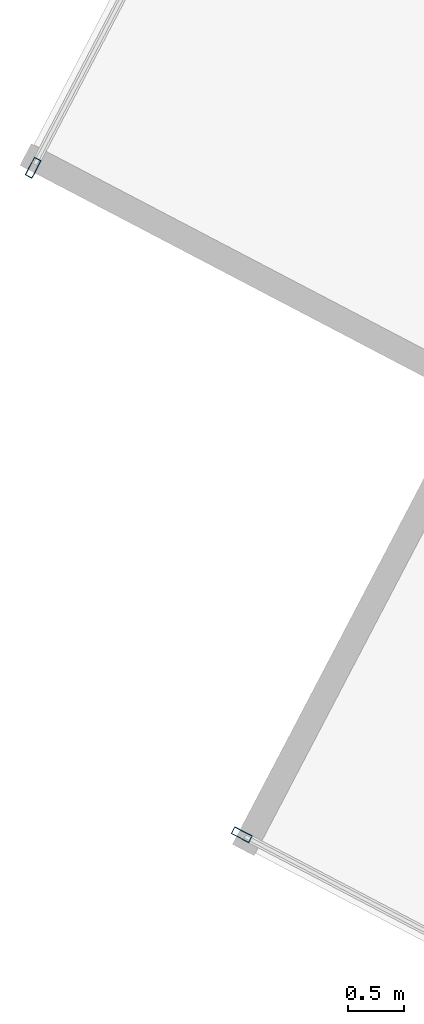
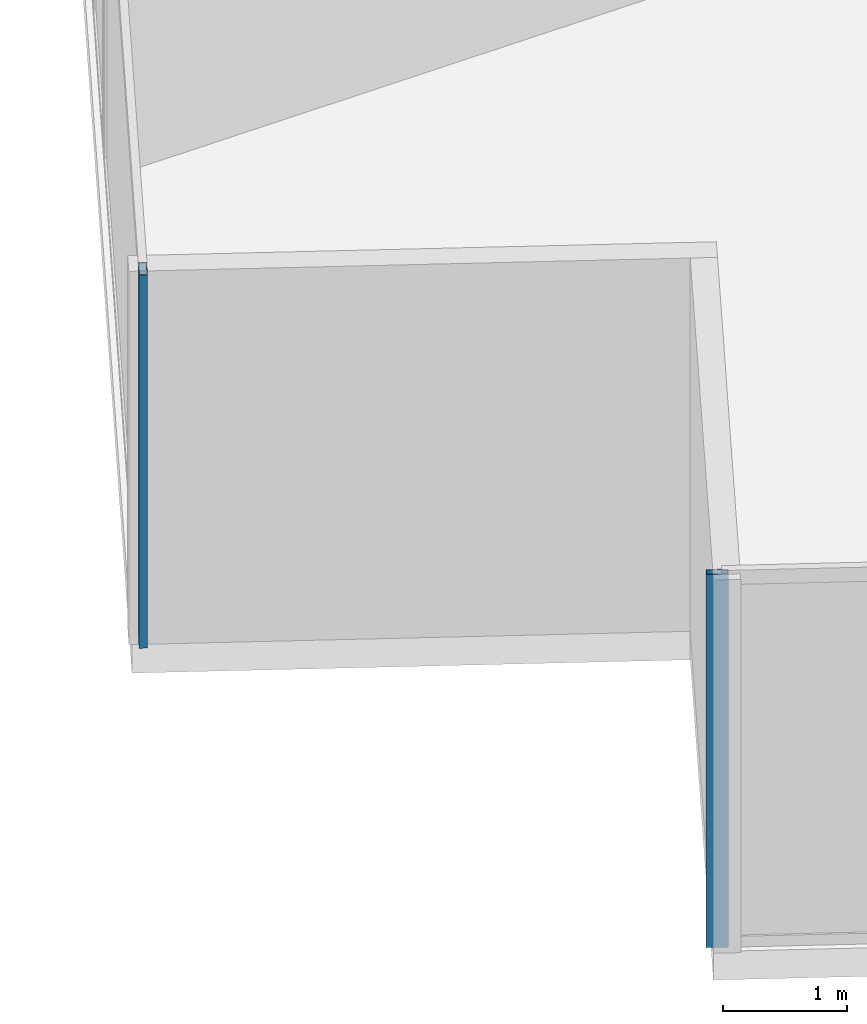
# One storey, part 5 of 27: 2 members, 2 elements without a shape of their own.
"""IFC4 building model written with IfcOpenShell, lengths in metres."""

from ifc_helpers import new_model, si_unit, direction, frame, origin, origin_2d, place, context, subcontext, project, spatial, hollow_rectangle, extrude, source, transform, mapped, material, material_profile, profile_set, type_object, type_shapes, element, aggregate, save


model = new_model("IFC4")

# Units and contexts
model_context = context("Model", 3, precision=1e-05, world=origin(), true_north=direction((0.0, 1.0)))
body_context = subcontext(model_context, "Body", "Model", "MODEL_VIEW")
ifc_project = project(units=[si_unit("LENGTHUNIT", "METRE"), si_unit("AREAUNIT", "SQUARE_METRE"), si_unit("VOLUMEUNIT", "CUBIC_METRE"), si_unit("PLANEANGLEUNIT", "RADIAN"), si_unit("MASSUNIT", "GRAM", prefix="KILO")], contexts=[model_context])

# Site, building, storey
site_placement = place(None, origin())
site = spatial("IfcSite", under=ifc_project, at=site_placement, CompositionType="ELEMENT")
building_placement = place(site_placement, origin())
building = spatial("IfcBuilding", under=site, at=building_placement, Name="Krantzveldt Concourse Tower", CompositionType="ELEMENT")
storey_placement = place(building_placement, frame((0.0, 0.0, 154.10009765625)))
storey = spatial("IfcBuildingStorey", under=building, at=storey_placement, Name="L37", CompositionType="ELEMENT", Elevation=154.10009765625)

# Curtain wall, member
ifc_material = material(Name="Anodised aluminium 6063-T6", Category="aluminium")
curtain_wall_type = type_object("IfcCurtainWallType", Name="CW3", PredefinedType="USERDEFINED", material=ifc_material)
curtain_wall_1_placement = place(storey_placement, origin())
curtain_wall_1 = element("IfcCurtainWall", 1, at=curtain_wall_1_placement, inside=storey, type_object=curtain_wall_type, Name="CW-L37-F01", ObjectType="UNITISED CURTAIN WALL", PredefinedType="USERDEFINED")
ifc_material_profile = material_profile(ifc_material, hollow_rectangle(XDim=0.070068359375, YDim=0.179931640625, WallThickness=0.0048828125, at=origin_2d()), Name="Anodised aluminium 6063-T6", Category="aluminium")
ifc_profile_set = profile_set([ifc_material_profile], Name="Anodised aluminium 6063-T6 - ALU-MULL 180x70x5")
member_type = type_object("IfcMemberType", Name="CW-MUL-180", PredefinedType="MULLION", material=ifc_profile_set)
shared_shape = source(origin(), body_context, "Body", "SweptSolid", [
    extrude(hollow_rectangle(XDim=0.070068359375, YDim=0.179931640625, WallThickness=0.0048828125, at=origin_2d()), origin(), (0.0, 0.0, 1.0), 3.669921875),
])
type_shapes(member_type, [shared_shape])
member_1_placement = place(storey_placement, frame((8.62451171875, 21.427490234375, 0.0), z_axis=(0.0, 0.0, 1.0), x_axis=(0.886001265743, -0.463682819502, 0.0)))
member_1 = element("IfcMember", 2, at=member_1_placement, type_object=member_type, Name="CW-Z34 mullion 6", PredefinedType="MULLION", context=body_context, shape_type="MappedRepresentation", body=[
    mapped(shared_shape, transform((0.0, 0.0, 0.0), x_axis=(1.0, 0.0, 0.0), y_axis=(0.0, 1.0, 0.0), z_axis=(0.0, 0.0, 1.0), scale=1.0)),
])
aggregate(curtain_wall_1, [member_1])

curtain_wall_2_placement = place(storey_placement, origin())
curtain_wall_2 = element("IfcCurtainWall", 3, at=curtain_wall_2_placement, inside=storey, type_object=curtain_wall_type, Name="CW-L37-F04", ObjectType="UNITISED CURTAIN WALL", PredefinedType="USERDEFINED")
member_2_placement = place(storey_placement, frame((10.501708984375, 15.42822265625, 0.0), z_axis=(0.0, 0.0, 1.0), x_axis=(0.463682819502, 0.886001265743, 0.0)))
member_2 = element("IfcMember", 4, at=member_2_placement, type_object=member_type, Name="CW-Z34 mullion 1", PredefinedType="MULLION", context=body_context, shape_type="MappedRepresentation", body=[
    mapped(shared_shape, transform((0.0, 0.0, 0.0), x_axis=(1.0, 0.0, 0.0), y_axis=(0.0, 1.0, 0.0), z_axis=(0.0, 0.0, 1.0), scale=1.0)),
])
aggregate(curtain_wall_2, [member_2])

save(model, "model.ifc")
